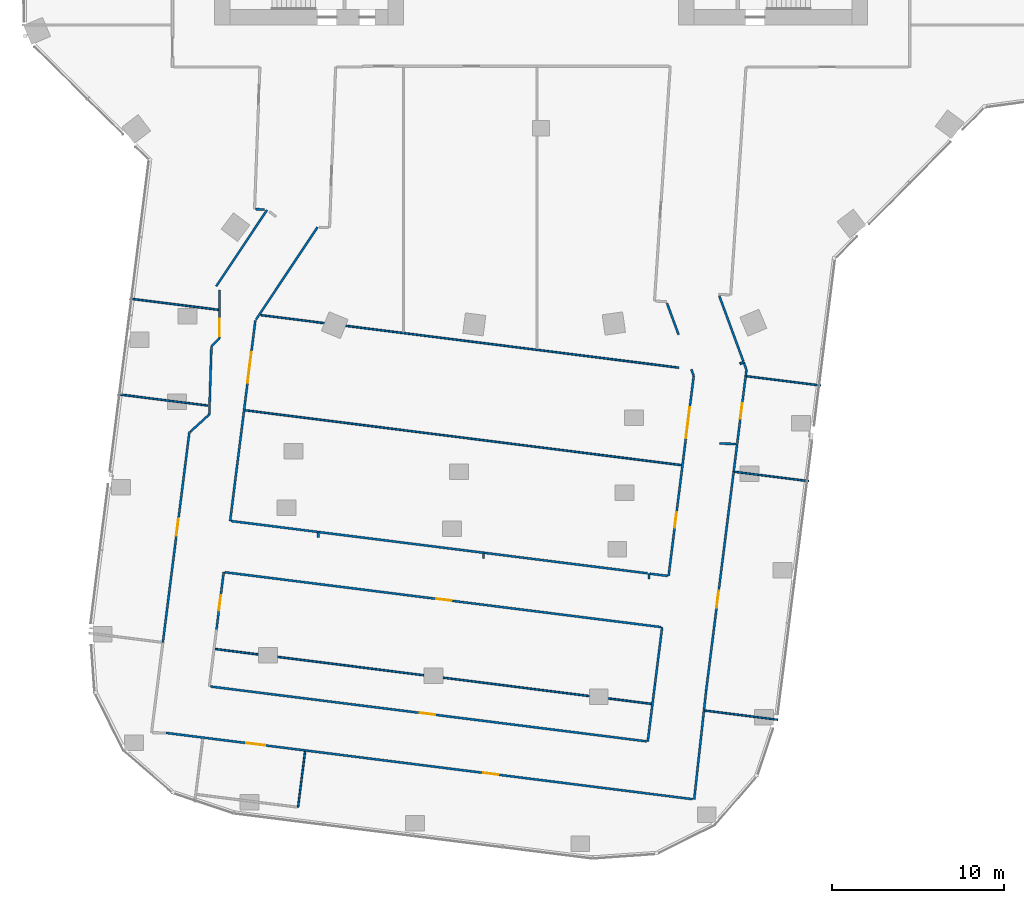
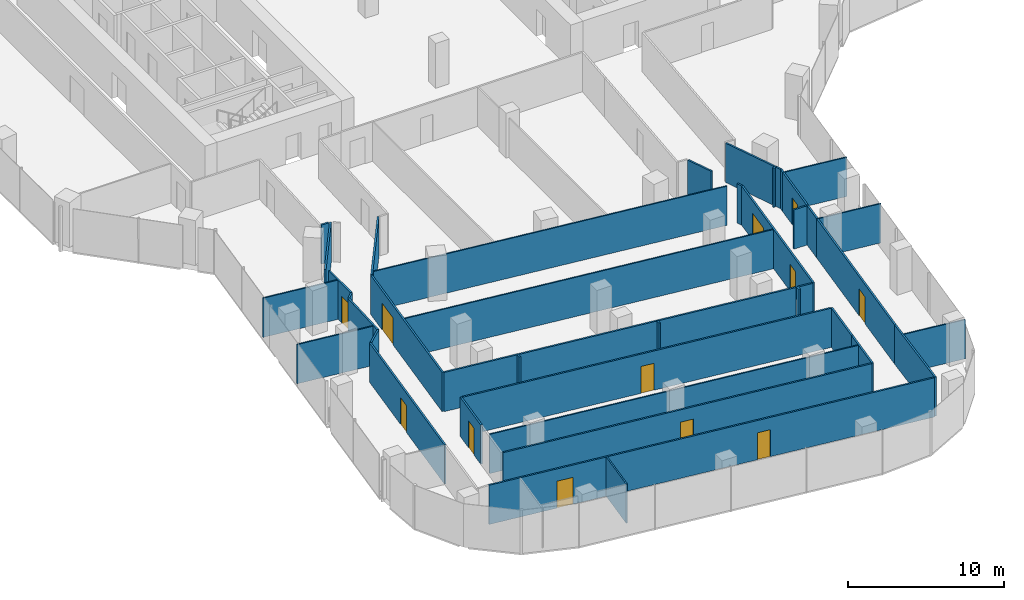
# One storey, part 19 of 27: 41 walls, 12 doors, 12 openings.
"""IFC4 building model written with IfcOpenShell, lengths in metres."""

from ifc_helpers import new_model, si_unit, direction, frame, frame_2d, origin, place, context, subcontext, project, spatial, rectangle, extrude, material, layer, layer_set, type_object, element, fill, save


model = new_model("IFC4")

# Units and contexts
model_context = context("Model", 3, precision=1e-05, world=origin(), true_north=direction((0.0, 1.0)))
body_context = subcontext(model_context, "Body", "Model", "MODEL_VIEW")
ifc_project = project(units=[si_unit("LENGTHUNIT", "METRE"), si_unit("AREAUNIT", "SQUARE_METRE"), si_unit("VOLUMEUNIT", "CUBIC_METRE"), si_unit("PLANEANGLEUNIT", "RADIAN"), si_unit("MASSUNIT", "GRAM", prefix="KILO")], contexts=[model_context])

# Site, building, storey
site_placement = place(None, origin())
site = spatial("IfcSite", under=ifc_project, at=site_placement, CompositionType="ELEMENT")
building_placement = place(site_placement, origin())
building = spatial("IfcBuilding", under=site, at=building_placement, Name="Orlundy Tower", CompositionType="ELEMENT")
storey_placement = place(building_placement, frame((0.0, 0.0, 195.60009765625)))
storey = spatial("IfcBuildingStorey", under=building, at=storey_placement, Name="L51", CompositionType="ELEMENT", Elevation=195.60009765625)

# Walls
ifc_material_1 = material(Name="Gypsum board partition")
ifc_layer_1 = layer(ifc_material_1, 0.10009765625)
ifc_layer_set_1 = layer_set([ifc_layer_1], Name="Floor partition 100")
wall_type_1 = type_object("IfcWallType", Name="Floor partition 100", PredefinedType="PARTITIONING", material=ifc_layer_set_1)
wall_1_placement = place(storey_placement, frame((-18.968017578125, -48.31103515625, 0.0), z_axis=(0.0, 0.0, 1.0), x_axis=(0.992187328306, -0.124756985971, 0.0)))
element("IfcWall", 1, at=wall_1_placement, inside=storey, type_object=wall_type_1, Name="wall-int-L51-010", PredefinedType="PARTITIONING", context=body_context, shape_type="SweptSolid", body=[
    extrude(rectangle(XDim=25.5849609375, YDim=0.10009765625, at=frame_2d((12.79248046875, 0.0))), origin(), (0.0, 0.0, 1.0), 3.059814453125),
])
wall_2_placement = place(storey_placement, frame((9.51904296875, -51.89306640625, 0.0), z_axis=(0.0, 0.0, 1.0), x_axis=(0.992174773364, -0.124856794369, 0.0)))
element("IfcWall", 2, at=wall_2_placement, inside=storey, type_object=wall_type_1, Name="wall-int-L51-011", PredefinedType="PARTITIONING", context=body_context, shape_type="SweptSolid", body=[
    extrude(rectangle(XDim=4.2763671875, YDim=0.10009765625, at=frame_2d((2.13818359375, 0.0))), origin(), (0.0, 0.0, 1.0), 3.059814453125),
])
wall_3_placement = place(storey_placement, frame((-24.62109375, -33.489990234375, 0.0), z_axis=(0.0, 0.0, 1.0), x_axis=(0.992192670487, -0.124714492473, 0.0)))
element("IfcWall", 3, at=wall_3_placement, inside=storey, type_object=wall_type_1, Name="wall-int-L51-015", PredefinedType="PARTITIONING", context=body_context, shape_type="SweptSolid", body=[
    extrude(rectangle(XDim=5.260009765625, YDim=0.10009765625, at=frame_2d((2.6298828125, 0.0))), origin(), (0.0, 0.0, 1.0), 3.059814453125),
])
wall_4_placement = place(storey_placement, frame((-17.220947265625, -34.4208984375, 0.0), z_axis=(0.0, 0.0, 1.0), x_axis=(0.992190871449, -0.124728804262, 0.0)))
element("IfcWall", 4, at=wall_4_placement, inside=storey, type_object=wall_type_1, Name="wall-int-L51-016", PredefinedType="PARTITIONING", context=body_context, shape_type="SweptSolid", body=[
    extrude(rectangle(XDim=25.584716796875, YDim=0.10009765625, at=frame_2d((12.79248046875, 0.0))), origin(), (0.0, 0.0, 1.0), 3.059814453125),
])
wall_5_placement = place(storey_placement, frame((11.26611328125, -38.0029296875, 0.0), z_axis=(0.0, 0.0, 1.0), x_axis=(0.992194392082, -0.124700795187, 0.0)))
element("IfcWall", 5, at=wall_5_placement, inside=storey, type_object=wall_type_1, Name="wall-int-L51-017", PredefinedType="PARTITIONING", context=body_context, shape_type="SweptSolid", body=[
    extrude(rectangle(XDim=4.33056640625, YDim=0.10009765625, at=frame_2d((2.165283203125, 0.0))), origin(), (0.0, 0.0, 1.0), 3.059814453125),
])
wall_6_placement = place(storey_placement, frame((-23.9208984375, -27.927001953125, 0.0), z_axis=(0.0, 0.0, 1.0), x_axis=(0.992179743224, -0.124817295018, 0.0)))
element("IfcWall", 6, at=wall_6_placement, inside=storey, type_object=wall_type_1, Name="wall-int-L51-018", PredefinedType="PARTITIONING", context=body_context, shape_type="SweptSolid", body=[
    extrude(rectangle(XDim=5.183349609375, YDim=0.10009765625, at=frame_2d((2.591796875, 0.0))), origin(), (0.0, 0.0, 1.0), 3.059814453125),
])
wall_7_placement = place(storey_placement, frame((-16.31494140625, -28.884033203125, 0.0), z_axis=(0.0, 0.0, 1.0), x_axis=(0.992194172305, -0.124702543857, 0.0)))
element("IfcWall", 7, at=wall_7_placement, inside=storey, type_object=wall_type_1, Name="wall-int-L51-019", PredefinedType="PARTITIONING", context=body_context, shape_type="SweptSolid", body=[
    extrude(rectangle(XDim=24.521240234375, YDim=0.10009765625, at=frame_2d((12.2607421875, 0.0))), origin(), (0.0, 0.0, 1.0), 3.059814453125),
])
wall_8_placement = place(storey_placement, frame((11.965087890625, -32.43994140625, 0.0), z_axis=(0.0, 0.0, 1.0), x_axis=(0.992194392082, -0.124700795187, 0.0)))
element("IfcWall", 8, at=wall_8_placement, inside=storey, type_object=wall_type_1, Name="wall-int-L51-020", PredefinedType="PARTITIONING", context=body_context, shape_type="SweptSolid", body=[
    extrude(rectangle(XDim=4.33056640625, YDim=0.10009765625, at=frame_2d((2.165283203125, 0.0))), origin(), (0.0, 0.0, 1.0), 3.059814453125),
])
wall_9_placement = place(storey_placement, frame((-14.14111328125, -57.51708984375, 0.0), z_axis=(0.0, 0.0, 1.0), x_axis=(0.124586287257, 0.992208776935, 0.0)))
element("IfcWall", 9, at=wall_9_placement, inside=storey, type_object=wall_type_1, Name="wall-int-L51-054", PredefinedType="PARTITIONING", context=body_context, shape_type="SweptSolid", body=[
    extrude(rectangle(XDim=3.2685546875, YDim=0.10009765625, at=frame_2d((1.63427734375, 0.0))), origin(), (0.0, 0.0, 1.0), 3.059814453125),
])
ifc_material_2 = material(Name="Gypsum board partition, double layer")
ifc_layer_2 = layer(ifc_material_2, 0.125)
ifc_layer_set_2 = layer_set([ifc_layer_2], Name="Floor partition 125")
wall_type_2 = type_object("IfcWallType", Name="Floor partition 125", PredefinedType="PARTITIONING", material=ifc_layer_set_2)
wall_10_placement = place(storey_placement, frame((7.327880859375, -28.197021484375, 0.0), z_axis=(0.0, 0.0, 1.0), x_axis=(0.34495039198, -0.938620917662, 0.0)))
element("IfcWall", 10, at=wall_10_placement, inside=storey, type_object=wall_type_2, Name="wall-int-L51-001", PredefinedType="PARTITIONING", context=body_context, shape_type="SweptSolid", body=[
    extrude(rectangle(XDim=1.948486328125, YDim=0.125, at=frame_2d((0.97412109375, 0.0))), origin(), (0.0, 0.0, 1.0), 3.059814453125),
])
wall_11_placement = place(storey_placement, frame((8.738037109375, -32.033935546875, 0.0), z_axis=(0.0, 0.0, 1.0), x_axis=(0.344934891115, -0.938626614204, 0.0)))
element("IfcWall", 11, at=wall_11_placement, inside=storey, type_object=wall_type_2, Name="wall-int-L51-002", PredefinedType="PARTITIONING", context=body_context, shape_type="SweptSolid", body=[
    extrude(rectangle(XDim=0.4111328125, YDim=0.125, at=frame_2d((0.20556640625, 0.0))), origin(), (0.0, 0.0, 1.0), 3.059814453125),
])
wall_12_placement = place(storey_placement, frame((11.785888671875, -31.6279296875, 0.0), z_axis=(0.0, 0.0, 1.0), x_axis=(0.346065449672, -0.938210373287, 0.0)))
element("IfcWall", 12, at=wall_12_placement, inside=storey, type_object=wall_type_2, Name="wall-int-L51-003", PredefinedType="PARTITIONING", context=body_context, shape_type="SweptSolid", body=[
    extrude(rectangle(XDim=0.47119140625, YDim=0.125, at=frame_2d((0.235595703125, 0.0))), origin(), (0.0, 0.0, 1.0), 3.059814453125),
])
wall_13_placement = place(storey_placement, frame((10.364990234375, -27.760986328125, 0.0), z_axis=(0.0, 0.0, 1.0), x_axis=(0.34515538391, -0.938545556144, 0.0)))
element("IfcWall", 13, at=wall_13_placement, inside=storey, type_object=wall_type_2, Name="wall-int-L51-004", PredefinedType="PARTITIONING", context=body_context, shape_type="SweptSolid", body=[
    extrude(rectangle(XDim=4.052978515625, YDim=0.125, at=frame_2d((2.0263671875, 0.0))), origin(), (0.0, 0.0, 1.0), 3.059814453125),
])

# Wall, openings, doors
wall_14_placement = place(storey_placement, frame((8.822998046875, -57.049072265625, 0.0), z_axis=(0.0, 0.0, 1.0), x_axis=(-0.992177755652, 0.124833093322, 0.0)))
wall_14 = element("IfcWall", 14, at=wall_14_placement, inside=storey, type_object=wall_type_2, Name="wall-int-L51-007", PredefinedType="PARTITIONING", context=body_context, shape_type="SweptSolid", body=[
    extrude(rectangle(XDim=30.898681640625, YDim=0.125, at=frame_2d((15.44921875, 0.0))), origin(), (0.0, 0.0, 1.0), 3.059814453125),
])
opening_1_placement = place(wall_14_placement, frame((11.392333984375, 0.0, 0.0)))
opening_1 = element("IfcOpeningElement", 15, at=opening_1_placement, cuts=wall_14, Name="Opening 39108", PredefinedType="OPENING", context=body_context, shape_type="SweptSolid", body=[
    extrude(rectangle(XDim=0.89990234375, YDim=2.10009765625, at=frame_2d((0.449951171875, 1.050048828125))), frame((0.0, 0.072509765625, 0.0), z_axis=(0.0, -1.0, 0.0), x_axis=(1.0, 0.0, 0.0)), (0.0, 0.0, 1.0), 0.14501953125),
])
opening_2_placement = place(wall_14_placement, frame((25.076904296875, 0.0, 0.0)))
opening_2 = element("IfcOpeningElement", 16, at=opening_2_placement, cuts=wall_14, Name="Opening 39128", PredefinedType="OPENING", context=body_context, shape_type="SweptSolid", body=[
    extrude(rectangle(XDim=1.10009765625, YDim=2.10009765625, at=frame_2d((0.550048828125, 1.050048828125))), frame((0.0, 0.072509765625, 0.0), z_axis=(0.0, -1.0, 0.0), x_axis=(1.0, 0.0, 0.0)), (0.0, 0.0, 1.0), 0.14501953125),
])
ifc_material_3 = material(Name="Timber door leaf", Category="wood")
door_type_1 = type_object("IfcDoorType", Name="Floor door single 900 FD30S", OperationType="NOTDEFINED", PredefinedType="DOOR", material=ifc_material_3)
door_1_placement = place(opening_1_placement, origin())
door_1 = element("IfcDoor", 17, at=door_1_placement, inside=storey, type_object=door_type_1, Name="Door 39108", OperationType="SINGLE_SWING_LEFT", OverallHeight=2.10009765625, OverallWidth=0.89990234375, PredefinedType="DOOR", context=body_context, shape_type="SweptSolid", body=[
    extrude(rectangle(XDim=0.89990234375, YDim=2.10009765625, at=frame_2d((0.449951171875, 1.050048828125))), frame((0.0, 0.02490234375, 0.0), z_axis=(0.0, -1.0, 0.0), x_axis=(1.0, 0.0, 0.0)), (0.0, 0.0, 1.0), 0.050048828125),
])
fill(opening_1, door_1)
ifc_material_4 = material(Name="Timber door leaf", Category="wood")
door_type_2 = type_object("IfcDoorType", Name="Floor door xwide 1100 FD30S", OperationType="NOTDEFINED", PredefinedType="DOOR", material=ifc_material_4)
door_2_placement = place(opening_2_placement, origin())
door_2 = element("IfcDoor", 18, at=door_2_placement, inside=storey, type_object=door_type_2, Name="Door 39128", OperationType="SINGLE_SWING_RIGHT", OverallHeight=2.10009765625, OverallWidth=1.10009765625, PredefinedType="DOOR", context=body_context, shape_type="SweptSolid", body=[
    extrude(rectangle(XDim=1.10009765625, YDim=2.10009765625, at=frame_2d((0.550048828125, 1.050048828125))), frame((0.0, 0.02490234375, 0.0), z_axis=(0.0, -1.0, 0.0), x_axis=(1.0, 0.0, 0.0)), (0.0, 0.0, 1.0), 0.050048828125),
])
fill(opening_2, door_2)

# Wall, opening, door
wall_15_placement = place(storey_placement, frame((-19.241943359375, -50.493896484375, 0.0), z_axis=(0.0, 0.0, 1.0), x_axis=(0.992190871449, -0.124728804262, 0.0)))
wall_15 = element("IfcWall", 19, at=wall_15_placement, inside=storey, type_object=wall_type_2, Name="wall-int-L51-008", PredefinedType="PARTITIONING", context=body_context, shape_type="SweptSolid", body=[
    extrude(rectangle(XDim=25.584716796875, YDim=0.125, at=frame_2d((12.79248046875, 0.0))), origin(), (0.0, 0.0, 1.0), 3.059814453125),
])
opening_3_placement = place(wall_15_placement, frame((12.28759765625, 0.0, 0.0)))
opening_3 = element("IfcOpeningElement", 20, at=opening_3_placement, cuts=wall_15, Name="Opening 39107", PredefinedType="OPENING", context=body_context, shape_type="SweptSolid", body=[
    extrude(rectangle(XDim=0.89990234375, YDim=2.10009765625, at=frame_2d((0.449951171875, 1.050048828125))), frame((0.0, 0.072509765625, 0.0), z_axis=(0.0, -1.0, 0.0), x_axis=(1.0, 0.0, 0.0)), (0.0, 0.0, 1.0), 0.14501953125),
])
door_3_placement = place(opening_3_placement, origin())
door_3 = element("IfcDoor", 21, at=door_3_placement, inside=storey, type_object=door_type_1, Name="Door 39107", OperationType="SINGLE_SWING_LEFT", OverallHeight=2.10009765625, OverallWidth=0.89990234375, PredefinedType="DOOR", context=body_context, shape_type="SweptSolid", body=[
    extrude(rectangle(XDim=0.89990234375, YDim=2.10009765625, at=frame_2d((0.449951171875, 1.050048828125))), frame((0.0, 0.02490234375, 0.0), z_axis=(0.0, -1.0, 0.0), x_axis=(1.0, 0.0, 0.0)), (0.0, 0.0, 1.0), 0.050048828125),
])
fill(opening_3, door_3)

wall_16_placement = place(storey_placement, frame((6.97900390625, -47.034912109375, 0.0), z_axis=(0.0, 0.0, 1.0), x_axis=(-0.992192052325, 0.124719410292, 0.0)))
wall_16 = element("IfcWall", 22, at=wall_16_placement, inside=storey, type_object=wall_type_2, Name="wall-int-L51-012", PredefinedType="PARTITIONING", context=body_context, shape_type="SweptSolid", body=[
    extrude(rectangle(XDim=25.584716796875, YDim=0.125, at=frame_2d((12.79248046875, 0.0))), origin(), (0.0, 0.0, 1.0), 3.059814453125),
])
opening_4_placement = place(wall_16_placement, frame((12.28759765625, 0.0, 0.0)))
opening_4 = element("IfcOpeningElement", 23, at=opening_4_placement, cuts=wall_16, Name="Opening 39106", PredefinedType="OPENING", context=body_context, shape_type="SweptSolid", body=[
    extrude(rectangle(XDim=0.89990234375, YDim=2.10009765625, at=frame_2d((0.449951171875, 1.050048828125))), frame((0.0, 0.072509765625, 0.0), z_axis=(0.0, -1.0, 0.0), x_axis=(1.0, 0.0, 0.0)), (0.0, 0.0, 1.0), 0.14501953125),
])
door_4_placement = place(opening_4_placement, origin())
door_4 = element("IfcDoor", 24, at=door_4_placement, inside=storey, type_object=door_type_1, Name="Door 39106", OperationType="SINGLE_SWING_LEFT", OverallHeight=2.10009765625, OverallWidth=0.89990234375, PredefinedType="DOOR", context=body_context, shape_type="SweptSolid", body=[
    extrude(rectangle(XDim=0.89990234375, YDim=2.10009765625, at=frame_2d((0.449951171875, 1.050048828125))), frame((0.0, 0.02490234375, 0.0), z_axis=(0.0, -1.0, 0.0), x_axis=(1.0, 0.0, 0.0)), (0.0, 0.0, 1.0), 0.050048828125),
])
fill(opening_4, door_4)

# Walls
wall_17_placement = place(storey_placement, frame((-18.031982421875, -40.865966796875, 0.0), z_axis=(0.0, 0.0, 1.0), x_axis=(0.9922120451, -0.124560256738, 0.0)))
element("IfcWall", 25, at=wall_17_placement, inside=storey, type_object=wall_type_2, Name="wall-int-L51-013", PredefinedType="PARTITIONING", context=body_context, shape_type="SweptSolid", body=[
    extrude(rectangle(XDim=24.4140625, YDim=0.125, at=frame_2d((12.20703125, 0.0))), origin(), (0.0, 0.0, 1.0), 3.059814453125),
])
wall_18_placement = place(storey_placement, frame((6.342041015625, -43.930908203125, 0.0), z_axis=(0.0, 0.0, 1.0), x_axis=(0.992192944833, -0.124712309833, 0.0)))
element("IfcWall", 26, at=wall_18_placement, inside=storey, type_object=wall_type_2, Name="wall-int-L51-014", PredefinedType="PARTITIONING", context=body_context, shape_type="SweptSolid", body=[
    extrude(rectangle(XDim=1.02001953125, YDim=0.125, at=frame_2d((0.510009765625, 0.0))), origin(), (0.0, 0.0, 1.0), 3.059814453125),
])
wall_19_placement = place(storey_placement, frame((-16.610107421875, -22.718994140625, 0.0), z_axis=(0.0, 0.0, 1.0), x_axis=(0.999204657851, -0.039875452703, 0.0)))
element("IfcWall", 27, at=wall_19_placement, inside=storey, type_object=wall_type_2, Name="wall-int-L51-023", PredefinedType="PARTITIONING", context=body_context, shape_type="SweptSolid", body=[
    extrude(rectangle(XDim=0.526611328125, YDim=0.125, at=frame_2d((0.26318359375, 0.0))), origin(), (0.0, 0.0, 1.0), 3.059814453125),
])
wall_20_placement = place(storey_placement, frame((10.365966796875, -36.35595703125, 0.0), z_axis=(0.0, 0.0, 1.0), x_axis=(0.999700907591, -0.024455988254, 0.0)))
element("IfcWall", 28, at=wall_20_placement, inside=storey, type_object=wall_type_2, Name="wall-int-L51-025", PredefinedType="PARTITIONING", context=body_context, shape_type="SweptSolid", body=[
    extrude(rectangle(XDim=0.978271484375, YDim=0.125, at=frame_2d((0.4892578125, 0.0))), origin(), (0.0, 0.0, 1.0), 3.059814453125),
])
wall_21_placement = place(storey_placement, frame((-20.402099609375, -35.6640625, 0.0), z_axis=(0.0, 0.0, 1.0), x_axis=(0.738431976745, 0.674327973408, 0.0)))
element("IfcWall", 29, at=wall_21_placement, inside=storey, type_object=wall_type_2, Name="wall-int-L51-027", PredefinedType="PARTITIONING", context=body_context, shape_type="SweptSolid", body=[
    extrude(rectangle(XDim=1.4814453125, YDim=0.125, at=frame_2d((0.74072265625, 0.0))), origin(), (0.0, 0.0, 1.0), 3.059814453125),
])
wall_22_placement = place(storey_placement, frame((-19.181884765625, -30.702880859375, 0.0), z_axis=(0.0, 0.0, 1.0), x_axis=(0.707106781187, 0.707106781187, 0.0)))
element("IfcWall", 30, at=wall_22_placement, inside=storey, type_object=wall_type_2, Name="wall-int-L51-028", PredefinedType="PARTITIONING", context=body_context, shape_type="SweptSolid", body=[
    extrude(rectangle(XDim=0.65869140625, YDim=0.125, at=frame_2d((0.329345703125, 0.0))), origin(), (0.0, 0.0, 1.0), 3.059814453125),
])
wall_23_placement = place(storey_placement, frame((11.56298828125, -31.720947265625, 0.0), z_axis=(0.0, 0.0, 1.0), x_axis=(0.921426271694, 0.3885532471, 0.0)))
element("IfcWall", 31, at=wall_23_placement, inside=storey, type_object=wall_type_2, Name="wall-int-L51-043", PredefinedType="PARTITIONING", context=body_context, shape_type="SweptSolid", body=[
    extrude(rectangle(XDim=0.241943359375, YDim=0.125, at=frame_2d((0.12109375, 0.0))), origin(), (0.0, 0.0, 1.0), 3.059814453125),
])
wall_24_placement = place(storey_placement, frame((-13.009033203125, -23.76904296875, 0.0), z_axis=(0.0, 0.0, 1.0), x_axis=(-0.554421269435, -0.832236178016, 0.0)))
element("IfcWall", 32, at=wall_24_placement, inside=storey, type_object=wall_type_2, Name="wall-int-L51-044", PredefinedType="PARTITIONING", context=body_context, shape_type="SweptSolid", body=[
    extrude(rectangle(XDim=6.46435546875, YDim=0.125, at=frame_2d((3.232177734375, 0.0))), origin(), (0.0, 0.0, 1.0), 3.059814453125),
])
wall_25_placement = place(storey_placement, frame((-15.947998046875, -22.76806640625, 0.0), z_axis=(0.0, 0.0, 1.0), x_axis=(-0.554404200785, -0.832247548601, 0.0)))
element("IfcWall", 33, at=wall_25_placement, inside=storey, type_object=wall_type_2, Name="wall-int-L51-045", PredefinedType="PARTITIONING", context=body_context, shape_type="SweptSolid", body=[
    extrude(rectangle(XDim=5.330078125, YDim=0.125, at=frame_2d((2.6650390625, 0.0))), origin(), (0.0, 0.0, 1.0), 3.059814453125),
])
wall_26_placement = place(storey_placement, frame((-19.18310546875, -30.7080078125, 0.0), z_axis=(0.0, 0.0, 1.0), x_axis=(-0.0315735891, -0.99950142995, 0.0)))
element("IfcWall", 34, at=wall_26_placement, inside=storey, type_object=wall_type_2, Name="wall-int-L51-046", PredefinedType="PARTITIONING", context=body_context, shape_type="SweptSolid", body=[
    extrude(rectangle(XDim=3.958984375, YDim=0.125, at=frame_2d((1.9794921875, 0.0))), origin(), (0.0, 0.0, 1.0), 3.059814453125),
])
wall_27_placement = place(storey_placement, frame((11.903076171875, -32.431884765625, 0.0), z_axis=(0.0, 0.0, 1.0), x_axis=(0.125847054802, 0.992049655409, 0.0)))
element("IfcWall", 35, at=wall_27_placement, inside=storey, type_object=wall_type_2, Name="wall-int-L51-047", PredefinedType="PARTITIONING", context=body_context, shape_type="SweptSolid", body=[
    extrude(rectangle(XDim=0.36474609375, YDim=0.125, at=frame_2d((0.182373046875, 0.0))), origin(), (0.0, 0.0, 1.0), 3.059814453125),
])
wall_28_placement = place(storey_placement, frame((9.60107421875, -50.742919921875, 0.0), z_axis=(0.0, 0.0, 1.0), x_axis=(-0.109423264463, -0.993995246062, 0.0)))
element("IfcWall", 36, at=wall_28_placement, inside=storey, type_object=wall_type_2, Name="wall-int-L51-048", PredefinedType="PARTITIONING", context=body_context, shape_type="SweptSolid", body=[
    extrude(rectangle(XDim=6.35205078125, YDim=0.125, at=frame_2d((3.176025390625, 0.0))), origin(), (0.0, 0.0, 1.0), 3.059814453125),
])

# Wall, opening, door
wall_29_placement = place(storey_placement, frame((11.2041015625, -37.993896484375, 0.0), z_axis=(0.0, 0.0, 1.0), x_axis=(-0.124754953573, -0.992187583856, 0.0)))
wall_29 = element("IfcWall", 37, at=wall_29_placement, inside=storey, type_object=wall_type_2, Name="wall-int-L51-049", PredefinedType="PARTITIONING", context=body_context, shape_type="SweptSolid", body=[
    extrude(rectangle(XDim=12.849365234375, YDim=0.125, at=frame_2d((6.4248046875, 0.0))), origin(), (0.0, 0.0, 1.0), 3.059814453125),
])
opening_5_placement = place(wall_29_placement, frame((6.975830078125, 0.0, 0.0)))
opening_5 = element("IfcOpeningElement", 38, at=opening_5_placement, cuts=wall_29, Name="Opening 39101", PredefinedType="OPENING", context=body_context, shape_type="SweptSolid", body=[
    extrude(rectangle(XDim=1.0, YDim=2.10009765625, at=frame_2d((0.5, 1.050048828125))), frame((0.0, 0.072509765625, 0.0), z_axis=(0.0, -1.0, 0.0), x_axis=(1.0, 0.0, 0.0)), (0.0, 0.0, 1.0), 0.14501953125),
])
ifc_material_5 = material(Name="Timber door leaf", Category="wood")
door_type_3 = type_object("IfcDoorType", Name="Floor door wide 1000 FD30S", OperationType="NOTDEFINED", PredefinedType="DOOR", material=ifc_material_5)
door_5_placement = place(opening_5_placement, origin())
door_5 = element("IfcDoor", 39, at=door_5_placement, inside=storey, type_object=door_type_3, Name="Door 39101", OperationType="SINGLE_SWING_RIGHT", OverallHeight=2.10009765625, OverallWidth=1.0, PredefinedType="DOOR", context=body_context, shape_type="SweptSolid", body=[
    extrude(rectangle(XDim=1.0, YDim=2.10009765625, at=frame_2d((0.5, 1.050048828125))), frame((0.0, 0.02490234375, 0.0), z_axis=(0.0, -1.0, 0.0), x_axis=(1.0, 0.0, 0.0)), (0.0, 0.0, 1.0), 0.050048828125),
])
fill(opening_5, door_5)

wall_30_placement = place(storey_placement, frame((11.903076171875, -32.431884765625, 0.0), z_axis=(0.0, 0.0, 1.0), x_axis=(-0.124726255985, -0.992191191791, 0.0)))
wall_30 = element("IfcWall", 40, at=wall_30_placement, inside=storey, type_object=wall_type_2, Name="wall-int-L51-050", PredefinedType="PARTITIONING", context=body_context, shape_type="SweptSolid", body=[
    extrude(rectangle(XDim=3.953857421875, YDim=0.125, at=frame_2d((1.97705078125, 0.0))), origin(), (0.0, 0.0, 1.0), 3.059814453125),
])
opening_6_placement = place(wall_30_placement, frame((1.60009765625, 0.0, 0.0)))
opening_6 = element("IfcOpeningElement", 41, at=opening_6_placement, cuts=wall_30, Name="Opening 39100", PredefinedType="OPENING", context=body_context, shape_type="SweptSolid", body=[
    extrude(rectangle(XDim=0.89990234375, YDim=2.10009765625, at=frame_2d((0.449951171875, 1.050048828125))), frame((0.0, 0.072509765625, 0.0), z_axis=(0.0, -1.0, 0.0), x_axis=(1.0, 0.0, 0.0)), (0.0, 0.0, 1.0), 0.14501953125),
])
door_6_placement = place(opening_6_placement, origin())
door_6 = element("IfcDoor", 42, at=door_6_placement, inside=storey, type_object=door_type_1, Name="Door 39100", OperationType="SINGLE_SWING_RIGHT", OverallHeight=2.10009765625, OverallWidth=0.89990234375, PredefinedType="DOOR", context=body_context, shape_type="SweptSolid", body=[
    extrude(rectangle(XDim=0.89990234375, YDim=2.10009765625, at=frame_2d((0.449951171875, 1.050048828125))), frame((0.0, 0.02490234375, 0.0), z_axis=(0.0, -1.0, 0.0), x_axis=(1.0, 0.0, 0.0)), (0.0, 0.0, 1.0), 0.050048828125),
])
fill(opening_6, door_6)

# Walls
wall_31_placement = place(storey_placement, frame((6.623046875, -50.367919921875, 0.0), z_axis=(0.0, 0.0, 1.0), x_axis=(-0.124716116187, -0.992192466391, 0.0)))
element("IfcWall", 43, at=wall_31_placement, inside=storey, type_object=wall_type_2, Name="wall-int-L51-051", PredefinedType="PARTITIONING", context=body_context, shape_type="SweptSolid", body=[
    extrude(rectangle(XDim=3.351318359375, YDim=0.125, at=frame_2d((1.67578125, 0.0))), origin(), (0.0, 0.0, 1.0), 3.059814453125),
])
wall_32_placement = place(storey_placement, frame((6.623046875, -50.367919921875, 0.0), z_axis=(0.0, 0.0, 1.0), x_axis=(0.124725131243, 0.992191333179, 0.0)))
element("IfcWall", 44, at=wall_32_placement, inside=storey, type_object=wall_type_2, Name="wall-int-L51-052", PredefinedType="PARTITIONING", context=body_context, shape_type="SweptSolid", body=[
    extrude(rectangle(XDim=3.35107421875, YDim=0.125, at=frame_2d((1.675537109375, 0.0))), origin(), (0.0, 0.0, 1.0), 3.059814453125),
])

# Wall, openings, doors
wall_33_placement = place(storey_placement, frame((7.416015625, -44.06591796875, 0.0), z_axis=(0.0, 0.0, 1.0), x_axis=(0.124705364761, 0.992193817759, 0.0)))
wall_33 = element("IfcWall", 45, at=wall_33_placement, inside=storey, type_object=wall_type_2, Name="wall-int-L51-053", PredefinedType="PARTITIONING", context=body_context, shape_type="SweptSolid", body=[
    extrude(rectangle(XDim=11.738525390625, YDim=0.125, at=frame_2d((5.869140625, 0.0))), origin(), (0.0, 0.0, 1.0), 3.059814453125),
])
opening_7_placement = place(wall_33_placement, frame((8.0966796875, 0.0, 0.0)))
opening_7 = element("IfcOpeningElement", 46, at=opening_7_placement, cuts=wall_33, Name="Opening 39103", PredefinedType="OPENING", context=body_context, shape_type="SweptSolid", body=[
    extrude(rectangle(XDim=1.800048828125, YDim=2.10009765625, at=frame_2d((0.89990234375, 1.050048828125))), frame((0.0, 0.072509765625, 0.0), z_axis=(0.0, -1.0, 0.0), x_axis=(1.0, 0.0, 0.0)), (0.0, 0.0, 1.0), 0.14501953125),
])
opening_8_placement = place(wall_33_placement, frame((2.85009765625, 0.0, 0.0)))
opening_8 = element("IfcOpeningElement", 47, at=opening_8_placement, cuts=wall_33, Name="Opening 39104", PredefinedType="OPENING", context=body_context, shape_type="SweptSolid", body=[
    extrude(rectangle(XDim=0.89990234375, YDim=2.10009765625, at=frame_2d((0.449951171875, 1.050048828125))), frame((0.0, 0.072509765625, 0.0), z_axis=(0.0, -1.0, 0.0), x_axis=(1.0, 0.0, 0.0)), (0.0, 0.0, 1.0), 0.14501953125),
])
ifc_material_6 = material(Name="Timber door leaf", Category="wood")
door_type_4 = type_object("IfcDoorType", Name="Floor door double 1800 FD30S", OperationType="NOTDEFINED", PredefinedType="DOOR", material=ifc_material_6)
door_7_placement = place(opening_7_placement, origin())
door_7 = element("IfcDoor", 48, at=door_7_placement, inside=storey, type_object=door_type_4, Name="Door 39103", OperationType="DOUBLE_DOOR_SINGLE_SWING", OverallHeight=2.10009765625, OverallWidth=1.800048828125, PredefinedType="DOOR", context=body_context, shape_type="SweptSolid", body=[
    extrude(rectangle(XDim=1.800048828125, YDim=2.10009765625, at=frame_2d((0.89990234375, 1.050048828125))), frame((0.0, 0.02490234375, 0.0), z_axis=(0.0, -1.0, 0.0), x_axis=(1.0, 0.0, 0.0)), (0.0, 0.0, 1.0), 0.050048828125),
])
fill(opening_7, door_7)
door_8_placement = place(opening_8_placement, origin())
door_8 = element("IfcDoor", 49, at=door_8_placement, inside=storey, type_object=door_type_1, Name="Door 39104", OperationType="SINGLE_SWING_LEFT", OverallHeight=2.10009765625, OverallWidth=0.89990234375, PredefinedType="DOOR", context=body_context, shape_type="SweptSolid", body=[
    extrude(rectangle(XDim=0.89990234375, YDim=2.10009765625, at=frame_2d((0.449951171875, 1.050048828125))), frame((0.0, 0.02490234375, 0.0), z_axis=(0.0, -1.0, 0.0), x_axis=(1.0, 0.0, 0.0)), (0.0, 0.0, 1.0), 0.050048828125),
])
fill(opening_8, door_8)

# Wall, opening, door
wall_34_placement = place(storey_placement, frame((-18.468017578125, -43.8359375, 0.0), z_axis=(0.0, 0.0, 1.0), x_axis=(-0.124739851626, -0.992189482617, 0.0)))
wall_34 = element("IfcWall", 50, at=wall_34_placement, inside=storey, type_object=wall_type_2, Name="wall-int-L51-056", PredefinedType="PARTITIONING", context=body_context, shape_type="SweptSolid", body=[
    extrude(rectangle(XDim=3.366455078125, YDim=0.125, at=frame_2d((1.68310546875, 0.0))), origin(), (0.0, 0.0, 1.0), 3.059814453125),
])
opening_9_placement = place(wall_34_placement, frame((1.35009765625, 0.0, 0.0)))
opening_9 = element("IfcOpeningElement", 51, at=opening_9_placement, cuts=wall_34, Name="Opening 39105", PredefinedType="OPENING", context=body_context, shape_type="SweptSolid", body=[
    extrude(rectangle(XDim=0.89990234375, YDim=2.10009765625, at=frame_2d((0.449951171875, 1.050048828125))), frame((0.0, 0.072509765625, 0.0), z_axis=(0.0, -1.0, 0.0), x_axis=(1.0, 0.0, 0.0)), (0.0, 0.0, 1.0), 0.14501953125),
])
door_9_placement = place(opening_9_placement, origin())
door_9 = element("IfcDoor", 52, at=door_9_placement, inside=storey, type_object=door_type_1, Name="Door 39105", OperationType="SINGLE_SWING_RIGHT", OverallHeight=2.10009765625, OverallWidth=0.89990234375, PredefinedType="DOOR", context=body_context, shape_type="SweptSolid", body=[
    extrude(rectangle(XDim=0.89990234375, YDim=2.10009765625, at=frame_2d((0.449951171875, 1.050048828125))), frame((0.0, 0.02490234375, 0.0), z_axis=(0.0, -1.0, 0.0), x_axis=(1.0, 0.0, 0.0)), (0.0, 0.0, 1.0), 0.050048828125),
])
fill(opening_9, door_9)

wall_35_placement = place(storey_placement, frame((-16.626953125, -29.198974609375, 0.0), z_axis=(0.0, 0.0, 1.0), x_axis=(-0.124845291818, -0.992176220795, 0.0)))
wall_35 = element("IfcWall", 53, at=wall_35_placement, inside=storey, type_object=wall_type_2, Name="wall-int-L51-057", PredefinedType="PARTITIONING", context=body_context, shape_type="SweptSolid", body=[
    extrude(rectangle(XDim=11.7509765625, YDim=0.125, at=frame_2d((5.87548828125, 0.0))), origin(), (0.0, 0.0, 1.0), 3.059814453125),
])
opening_10_placement = place(wall_35_placement, frame((1.85205078125, 0.0, 0.0)))
opening_10 = element("IfcOpeningElement", 54, at=opening_10_placement, cuts=wall_35, Name="Opening 39102", PredefinedType="OPENING", context=body_context, shape_type="SweptSolid", body=[
    extrude(rectangle(XDim=1.800048828125, YDim=2.10009765625, at=frame_2d((0.89990234375, 1.050048828125))), frame((0.0, 0.072509765625, 0.0), z_axis=(0.0, -1.0, 0.0), x_axis=(1.0, 0.0, 0.0)), (0.0, 0.0, 1.0), 0.14501953125),
])
door_10_placement = place(opening_10_placement, origin())
door_10 = element("IfcDoor", 55, at=door_10_placement, inside=storey, type_object=door_type_4, Name="Door 39102", OperationType="DOUBLE_DOOR_SINGLE_SWING", OverallHeight=2.10009765625, OverallWidth=1.800048828125, PredefinedType="DOOR", context=body_context, shape_type="SweptSolid", body=[
    extrude(rectangle(XDim=1.800048828125, YDim=2.10009765625, at=frame_2d((0.89990234375, 1.050048828125))), frame((0.0, 0.02490234375, 0.0), z_axis=(0.0, -1.0, 0.0), x_axis=(1.0, 0.0, 0.0)), (0.0, 0.0, 1.0), 0.050048828125),
])
fill(opening_10, door_10)

wall_36_placement = place(storey_placement, frame((-22.008056640625, -47.928955078125, 0.0), z_axis=(0.0, 0.0, 1.0), x_axis=(0.125040719406, 0.992151610637, 0.0)))
wall_36 = element("IfcWall", 56, at=wall_36_placement, inside=storey, type_object=wall_type_2, Name="wall-int-L51-059", PredefinedType="PARTITIONING", context=body_context, shape_type="SweptSolid", body=[
    extrude(rectangle(XDim=12.365234375, YDim=0.125, at=frame_2d((6.1826171875, 0.0))), origin(), (0.0, 0.0, 1.0), 3.059814453125),
])
opening_11_placement = place(wall_36_placement, frame((6.251953125, 0.0, 0.0)))
opening_11 = element("IfcOpeningElement", 57, at=opening_11_placement, cuts=wall_36, Name="Opening 39110", PredefinedType="OPENING", context=body_context, shape_type="SweptSolid", body=[
    extrude(rectangle(XDim=1.0, YDim=2.10009765625, at=frame_2d((0.5, 1.050048828125))), frame((0.0, 0.072509765625, 0.0), z_axis=(0.0, -1.0, 0.0), x_axis=(1.0, 0.0, 0.0)), (0.0, 0.0, 1.0), 0.14501953125),
])
door_11_placement = place(opening_11_placement, origin())
door_11 = element("IfcDoor", 58, at=door_11_placement, inside=storey, type_object=door_type_3, Name="Door 39110", OperationType="SINGLE_SWING_RIGHT", OverallHeight=2.10009765625, OverallWidth=1.0, PredefinedType="DOOR", context=body_context, shape_type="SweptSolid", body=[
    extrude(rectangle(XDim=1.0, YDim=2.10009765625, at=frame_2d((0.5, 1.050048828125))), frame((0.0, 0.02490234375, 0.0), z_axis=(0.0, -1.0, 0.0), x_axis=(1.0, 0.0, 0.0)), (0.0, 0.0, 1.0), 0.050048828125),
])
fill(opening_11, door_11)

# Walls
wall_37_placement = place(storey_placement, frame((11.2041015625, -37.9951171875, 0.0), z_axis=(0.0, 0.0, 1.0), x_axis=(0.124201089062, 0.992257068242, 0.0)))
element("IfcWall", 59, at=wall_37_placement, inside=storey, type_object=wall_type_2, Name="wall-int-L51-061", PredefinedType="PARTITIONING", context=body_context, shape_type="SweptSolid", body=[
    extrude(rectangle(XDim=1.625732421875, YDim=0.125, at=frame_2d((0.81298828125, 0.0))), origin(), (0.0, 0.0, 1.0), 3.059814453125),
])
wall_38_placement = place(storey_placement, frame((6.280029296875, -44.2470703125, 0.0), z_axis=(0.0, 0.0, 1.0), x_axis=(0.0, 1.0, 0.0)))
element("IfcWall", 60, at=wall_38_placement, inside=storey, type_object=wall_type_2, Name="wall-int-L51-070", PredefinedType="PARTITIONING", context=body_context, shape_type="SweptSolid", body=[
    extrude(rectangle(XDim=0.323974609375, YDim=0.125, at=frame_2d((0.162109375, 0.0))), origin(), (0.0, 0.0, 1.0), 3.059814453125),
])
wall_39_placement = place(storey_placement, frame((-3.344970703125, -43.037109375, 0.0), z_axis=(0.0, 0.0, 1.0), x_axis=(0.0, 1.0, 0.0)))
element("IfcWall", 61, at=wall_39_placement, inside=storey, type_object=wall_type_2, Name="wall-int-L51-073", PredefinedType="PARTITIONING", context=body_context, shape_type="SweptSolid", body=[
    extrude(rectangle(XDim=0.32421875, YDim=0.125, at=frame_2d((0.162109375, 0.0))), origin(), (0.0, 0.0, 1.0), 3.059814453125),
])
wall_40_placement = place(storey_placement, frame((-12.968017578125, -41.826904296875, 0.0), z_axis=(0.0, 0.0, 1.0), x_axis=(0.0, 1.0, 0.0)))
element("IfcWall", 62, at=wall_40_placement, inside=storey, type_object=wall_type_2, Name="wall-int-L51-076", PredefinedType="PARTITIONING", context=body_context, shape_type="SweptSolid", body=[
    extrude(rectangle(XDim=0.323974609375, YDim=0.125, at=frame_2d((0.162109375, 0.0))), origin(), (0.0, 0.0, 1.0), 3.059814453125),
])

# Wall, opening, door
wall_41_placement = place(storey_placement, frame((-18.716064453125, -30.237060546875, 0.0), z_axis=(0.0, 0.0, 1.0), x_axis=(0.0, 1.0, 0.0)))
wall_41 = element("IfcWall", 63, at=wall_41_placement, inside=storey, type_object=wall_type_2, Name="wall-int-L51-077", PredefinedType="PARTITIONING", context=body_context, shape_type="SweptSolid", body=[
    extrude(rectangle(XDim=2.826171875, YDim=0.125, at=frame_2d((1.4130859375, 0.0))), origin(), (0.0, 0.0, 1.0), 3.059814453125),
])
opening_12_placement = place(wall_41_placement, frame((0.134033203125, 0.0, 0.0)))
opening_12 = element("IfcOpeningElement", 64, at=opening_12_placement, cuts=wall_41, Name="Opening 39109", PredefinedType="OPENING", context=body_context, shape_type="SweptSolid", body=[
    extrude(rectangle(XDim=1.0, YDim=2.10009765625, at=frame_2d((0.5, 1.050048828125))), frame((0.0, 0.072509765625, 0.0), z_axis=(0.0, -1.0, 0.0), x_axis=(1.0, 0.0, 0.0)), (0.0, 0.0, 1.0), 0.14501953125),
])
door_12_placement = place(opening_12_placement, origin())
door_12 = element("IfcDoor", 65, at=door_12_placement, inside=storey, type_object=door_type_3, Name="Door 39109", OperationType="SINGLE_SWING_LEFT", OverallHeight=2.10009765625, OverallWidth=1.0, PredefinedType="DOOR", context=body_context, shape_type="SweptSolid", body=[
    extrude(rectangle(XDim=1.0, YDim=2.10009765625, at=frame_2d((0.5, 1.050048828125))), frame((0.0, 0.02490234375, 0.0), z_axis=(0.0, -1.0, 0.0), x_axis=(1.0, 0.0, 0.0)), (0.0, 0.0, 1.0), 0.050048828125),
])
fill(opening_12, door_12)

save(model, "model.ifc")
